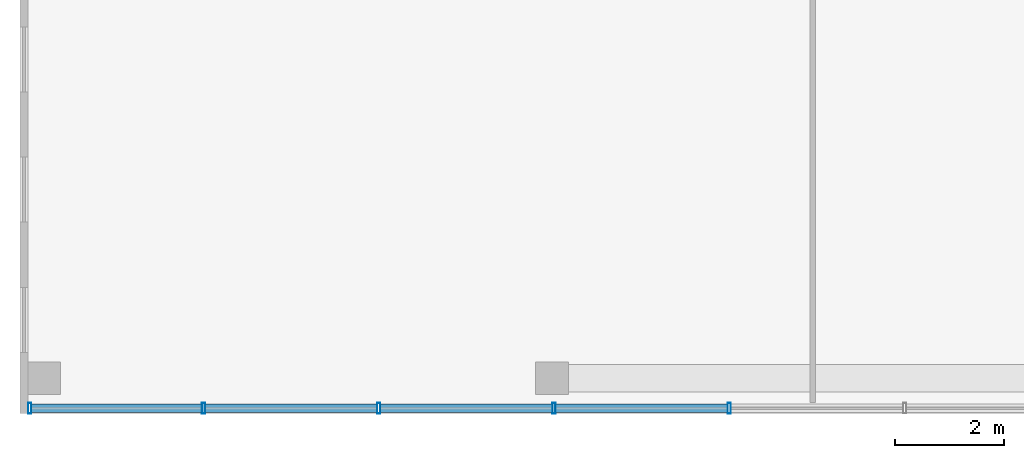
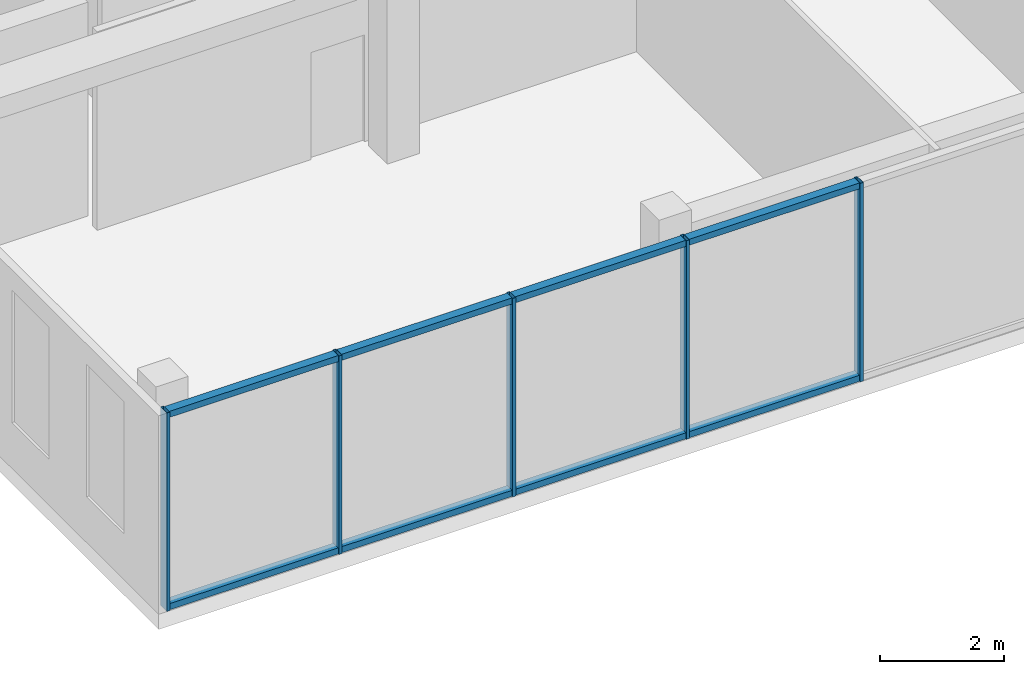
# One storey, part 2 of 28: 13 members, 1 element without a shape of its own.
"""IFC4 building model written with IfcOpenShell, lengths in metres."""

from ifc_helpers import new_model, si_unit, direction, frame, origin, origin_2d, place, context, subcontext, project, spatial, hollow_rectangle, extrude, material, layer, layer_set, material_profile, profile_set, type_object, element, aggregate, save


model = new_model("IFC4")

# Units and contexts
model_context = context("Model", 3, precision=1e-05, world=origin(), true_north=direction((0.0, 1.0)))
body_context = subcontext(model_context, "Body", "Model", "MODEL_VIEW")
ifc_project = project(units=[si_unit("LENGTHUNIT", "METRE"), si_unit("AREAUNIT", "SQUARE_METRE"), si_unit("VOLUMEUNIT", "CUBIC_METRE"), si_unit("PLANEANGLEUNIT", "RADIAN"), si_unit("MASSUNIT", "GRAM", prefix="KILO")], contexts=[model_context])

# Site, building, storey
site_placement = place(None, origin())
site = spatial("IfcSite", under=ifc_project, at=site_placement, CompositionType="ELEMENT")
building_placement = place(site_placement, origin())
building = spatial("IfcBuilding", under=site, at=building_placement, Name="Nzadi Deep Aquarium and Research Tower", CompositionType="ELEMENT")
storey_placement = place(building_placement, frame((0.0, 0.0, 73.89990234375)))
storey = spatial("IfcBuildingStorey", under=building, at=storey_placement, Name="L15", CompositionType="ELEMENT", Elevation=73.89990234375)

# Curtain wall, members
ifc_material_1 = material(Name="Aluminium unitised frame", Category="aluminium")
ifc_layer = layer(ifc_material_1, 0.199951171875)
ifc_layer_set = layer_set([ifc_layer], Name="Aluminium unitised frame")
curtain_wall_type = type_object("IfcCurtainWallType", Name="Curtain wall Unitised 200", PredefinedType="NOTDEFINED", material=ifc_layer_set)
curtain_wall_placement = place(storey_placement, origin())
curtain_wall = element("IfcCurtainWall", 1, at=curtain_wall_placement, inside=storey, type_object=curtain_wall_type, Name="Unitised curtain wall blade A south L15", PredefinedType="NOTDEFINED")
ifc_material_2 = material(Name="Aluminium unitised frame", Category="aluminium")
ifc_material_profile_1 = material_profile(ifc_material_2, hollow_rectangle(XDim=0.199951171875, YDim=0.06005859375, WallThickness=0.0048828125, at=origin_2d()))
ifc_profile_set_1 = profile_set([ifc_material_profile_1], Name="Aluminium unitised frame")
member_type_1 = type_object("IfcMemberType", Name="Mullion 60x200 Unitised", PredefinedType="MULLION", material=ifc_profile_set_1)
member_1_placement = place(storey_placement, frame((-0.02001953125, -0.10009765625, 0.0), z_axis=(0.0, 0.0, 1.0), x_axis=(0.0, 1.0, 0.0)))
member_1 = element("IfcMember", 2, at=member_1_placement, type_object=member_type_1, Name="CW069 mullion 1", PredefinedType="MULLION", context=body_context, shape_type="SweptSolid", body=[
    extrude(hollow_rectangle(XDim=0.199951171875, YDim=0.06005859375, WallThickness=0.0048828125, at=origin_2d()), origin(), (0.0, 0.0, 1.0), 3.900146484375),
])
member_2_placement = place(storey_placement, frame((3.17919921875, -0.10009765625, 0.0), z_axis=(0.0, 0.0, 1.0), x_axis=(0.0, 1.0, 0.0)))
member_2 = element("IfcMember", 3, at=member_2_placement, type_object=member_type_1, Name="CW069 mullion 2", PredefinedType="MULLION", context=body_context, shape_type="SweptSolid", body=[
    extrude(hollow_rectangle(XDim=0.199951171875, YDim=0.06005859375, WallThickness=0.0048828125, at=origin_2d()), origin(), (0.0, 0.0, 1.0), 3.900146484375),
])
member_3_placement = place(storey_placement, frame((6.408447265625, -0.10009765625, 0.0), z_axis=(0.0, 0.0, 1.0), x_axis=(0.0, 1.0, 0.0)))
member_3 = element("IfcMember", 4, at=member_3_placement, type_object=member_type_1, Name="CW069 mullion 3", PredefinedType="MULLION", context=body_context, shape_type="SweptSolid", body=[
    extrude(hollow_rectangle(XDim=0.199951171875, YDim=0.06005859375, WallThickness=0.0048828125, at=origin_2d()), origin(), (0.0, 0.0, 1.0), 3.900146484375),
])
member_4_placement = place(storey_placement, frame((9.637451171875, -0.10009765625, 0.0), z_axis=(0.0, 0.0, 1.0), x_axis=(0.0, 1.0, 0.0)))
member_4 = element("IfcMember", 5, at=member_4_placement, type_object=member_type_1, Name="CW069 mullion 4", PredefinedType="MULLION", context=body_context, shape_type="SweptSolid", body=[
    extrude(hollow_rectangle(XDim=0.199951171875, YDim=0.06005859375, WallThickness=0.0048828125, at=origin_2d()), origin(), (0.0, 0.0, 1.0), 3.900146484375),
])
member_5_placement = place(storey_placement, frame((12.86669921875, -0.10009765625, 0.0), z_axis=(0.0, 0.0, 1.0), x_axis=(0.0, 1.0, 0.0)))
member_5 = element("IfcMember", 6, at=member_5_placement, type_object=member_type_1, Name="CW069 mullion 5", PredefinedType="MULLION", context=body_context, shape_type="SweptSolid", body=[
    extrude(hollow_rectangle(XDim=0.199951171875, YDim=0.06005859375, WallThickness=0.0048828125, at=origin_2d()), origin(), (0.0, 0.0, 1.0), 3.900146484375),
])
ifc_material_3 = material(Name="Aluminium unitised frame", Category="aluminium")
ifc_material_profile_2 = material_profile(ifc_material_3, hollow_rectangle(XDim=0.159912109375, YDim=0.1201171875, WallThickness=0.0048828125, at=origin_2d()))
ifc_profile_set_2 = profile_set([ifc_material_profile_2], Name="Aluminium unitised frame")
member_type_2 = type_object("IfcMemberType", Name="Transom 120x160 Unitised", PredefinedType="MULLION", material=ifc_profile_set_2)
member_6_placement = place(storey_placement, frame((0.010009765625, -0.10009765625, 0.06005859375), z_axis=(1.0, 0.0, 0.0), x_axis=(0.0, 1.0, 0.0)))
member_6 = element("IfcMember", 7, at=member_6_placement, type_object=member_type_2, Name="CW069 transom 1.1", PredefinedType="MULLION", context=body_context, shape_type="SweptSolid", body=[
    extrude(hollow_rectangle(XDim=0.159912109375, YDim=0.1201171875, WallThickness=0.0048828125, at=origin_2d()), origin(), (0.0, 0.0, 1.0), 3.13916015625),
])
member_7_placement = place(storey_placement, frame((0.010009765625, -0.10009765625, 3.840087890625), z_axis=(1.0, 0.0, 0.0), x_axis=(0.0, 1.0, 0.0)))
member_7 = element("IfcMember", 8, at=member_7_placement, type_object=member_type_2, Name="CW069 transom 1.2", PredefinedType="MULLION", context=body_context, shape_type="SweptSolid", body=[
    extrude(hollow_rectangle(XDim=0.159912109375, YDim=0.1201171875, WallThickness=0.0048828125, at=origin_2d()), origin(), (0.0, 0.0, 1.0), 3.13916015625),
])
member_8_placement = place(storey_placement, frame((3.209228515625, -0.10009765625, 0.06005859375), z_axis=(1.0, 0.0, 0.0), x_axis=(0.0, 1.0, 0.0)))
member_8 = element("IfcMember", 9, at=member_8_placement, type_object=member_type_2, Name="CW069 transom 2.1", PredefinedType="MULLION", context=body_context, shape_type="SweptSolid", body=[
    extrude(hollow_rectangle(XDim=0.159912109375, YDim=0.1201171875, WallThickness=0.0048828125, at=origin_2d()), origin(), (0.0, 0.0, 1.0), 3.169189453125),
])
member_9_placement = place(storey_placement, frame((3.209228515625, -0.10009765625, 3.840087890625), z_axis=(1.0, 0.0, 0.0), x_axis=(0.0, 1.0, 0.0)))
member_9 = element("IfcMember", 10, at=member_9_placement, type_object=member_type_2, Name="CW069 transom 2.2", PredefinedType="MULLION", context=body_context, shape_type="SweptSolid", body=[
    extrude(hollow_rectangle(XDim=0.159912109375, YDim=0.1201171875, WallThickness=0.0048828125, at=origin_2d()), origin(), (0.0, 0.0, 1.0), 3.169189453125),
])
member_10_placement = place(storey_placement, frame((6.438232421875, -0.10009765625, 0.06005859375), z_axis=(1.0, 0.0, 0.0), x_axis=(0.0, 1.0, 0.0)))
member_10 = element("IfcMember", 11, at=member_10_placement, type_object=member_type_2, Name="CW069 transom 3.1", PredefinedType="MULLION", context=body_context, shape_type="SweptSolid", body=[
    extrude(hollow_rectangle(XDim=0.159912109375, YDim=0.1201171875, WallThickness=0.0048828125, at=origin_2d()), origin(), (0.0, 0.0, 1.0), 3.169189453125),
])
member_11_placement = place(storey_placement, frame((6.438232421875, -0.10009765625, 3.840087890625), z_axis=(1.0, 0.0, 0.0), x_axis=(0.0, 1.0, 0.0)))
member_11 = element("IfcMember", 12, at=member_11_placement, type_object=member_type_2, Name="CW069 transom 3.2", PredefinedType="MULLION", context=body_context, shape_type="SweptSolid", body=[
    extrude(hollow_rectangle(XDim=0.159912109375, YDim=0.1201171875, WallThickness=0.0048828125, at=origin_2d()), origin(), (0.0, 0.0, 1.0), 3.169189453125),
])
member_12_placement = place(storey_placement, frame((9.66748046875, -0.10009765625, 0.06005859375), z_axis=(1.0, 0.0, 0.0), x_axis=(0.0, 1.0, 0.0)))
member_12 = element("IfcMember", 13, at=member_12_placement, type_object=member_type_2, Name="CW069 transom 4.1", PredefinedType="MULLION", context=body_context, shape_type="SweptSolid", body=[
    extrude(hollow_rectangle(XDim=0.159912109375, YDim=0.1201171875, WallThickness=0.0048828125, at=origin_2d()), origin(), (0.0, 0.0, 1.0), 3.169189453125),
])
member_13_placement = place(storey_placement, frame((9.66748046875, -0.10009765625, 3.840087890625), z_axis=(1.0, 0.0, 0.0), x_axis=(0.0, 1.0, 0.0)))
member_13 = element("IfcMember", 14, at=member_13_placement, type_object=member_type_2, Name="CW069 transom 4.2", PredefinedType="MULLION", context=body_context, shape_type="SweptSolid", body=[
    extrude(hollow_rectangle(XDim=0.159912109375, YDim=0.1201171875, WallThickness=0.0048828125, at=origin_2d()), origin(), (0.0, 0.0, 1.0), 3.169189453125),
])
aggregate(curtain_wall, [member_1, member_2, member_3, member_4, member_5, member_6, member_7, member_8, member_9, member_10, member_11, member_12, member_13])

save(model, "model.ifc")
